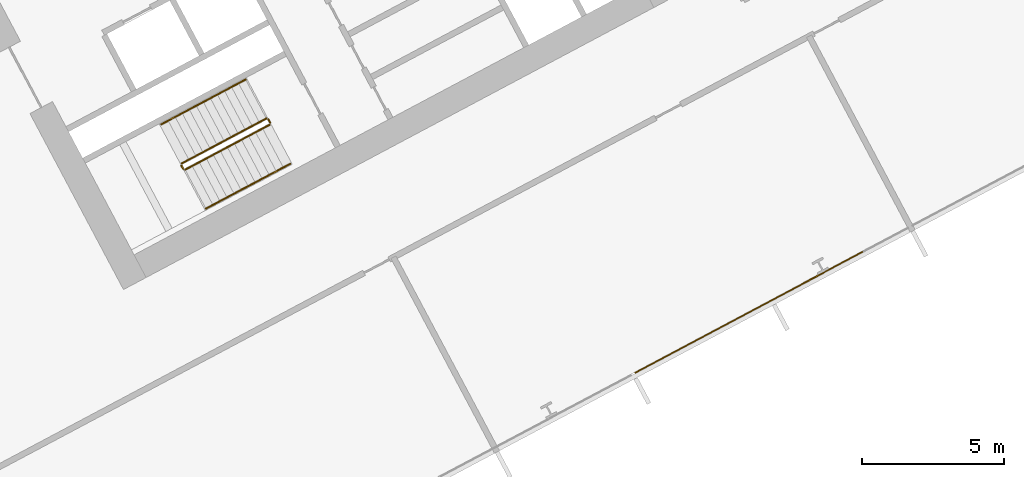
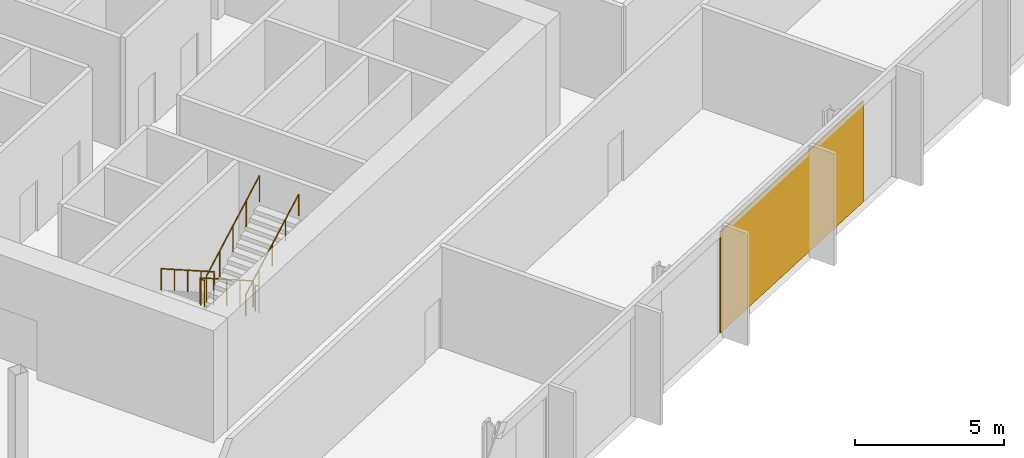
# One storey, part 27 of 31: 6 railings, 1 covering, 1 element without a shape of its own.
"""IFC4 building model written with IfcOpenShell, lengths in metres."""

from ifc_helpers import new_model, si_unit, direction, frame, origin, origin_2d, place, context, subcontext, project, spatial, polyline, rectangle, outline, extrude, material, layer, layer_set, type_object, element, aggregate, save


model = new_model("IFC4")

# Units and contexts
model_context = context("Model", 3, precision=1e-05, world=origin(), true_north=direction((0.0, 1.0)))
body_context = subcontext(model_context, "Body", "Model", "MODEL_VIEW")
ifc_project = project(units=[si_unit("LENGTHUNIT", "METRE"), si_unit("AREAUNIT", "SQUARE_METRE"), si_unit("VOLUMEUNIT", "CUBIC_METRE"), si_unit("PLANEANGLEUNIT", "RADIAN"), si_unit("MASSUNIT", "GRAM", prefix="KILO")], contexts=[model_context])

# Site, building, storey
site_placement = place(None, origin())
site = spatial("IfcSite", under=ifc_project, at=site_placement, CompositionType="ELEMENT")
building_placement = place(site_placement, origin())
building = spatial("IfcBuilding", under=site, at=building_placement, Name="Cormorant Relay Tower", CompositionType="ELEMENT")
storey_placement = place(building_placement, frame((0.0, 0.0, 107.60009765625)))
storey = spatial("IfcBuildingStorey", under=building, at=storey_placement, Name="L21", CompositionType="ELEMENT", Elevation=107.60009765625)

# Curtain wall, covering
ifc_material_1 = material(Name="Aluminium 6063-T6 anodised bronze", Category="aluminium")
ifc_layer_1 = layer(ifc_material_1, 0.199951171875)
ifc_layer_set_1 = layer_set([ifc_layer_1], Name="CW1 unitised bronze curtain wall with vertical fins")
curtain_wall_type = type_object("IfcCurtainWallType", Name="CW1 unitised bronze curtain wall with vertical fins", PredefinedType="NOTDEFINED", material=ifc_layer_set_1)
curtain_wall_placement = place(storey_placement, origin())
curtain_wall = element("IfcCurtainWall", 1, at=curtain_wall_placement, inside=storey, type_object=curtain_wall_type, Name="CW1 curtain wall 2", PredefinedType="NOTDEFINED")
ifc_material_2 = material(Name="Pale bronze anodised aluminium insulated panel", Category="aluminium")
ifc_layer_2 = layer(ifc_material_2, 0.0400390625)
ifc_layer_set_2 = layer_set([ifc_layer_2], Name="CW1 pale bronze insulated panel 40")
covering_type = type_object("IfcCoveringType", Name="CW1 pale bronze insulated panel 40", PredefinedType="CLADDING", material=ifc_layer_set_2)
covering_placement = place(storey_placement, frame((40.797119140625, -2.114501953125, 0.0), z_axis=(0.0, 0.0, 1.0), x_axis=(0.882947592859, 0.469471562786, 0.0)))
covering = element("IfcCovering", 2, at=covering_placement, type_object=covering_type, Name="CW1 panel S07", PredefinedType="CLADDING", context=body_context, shape_type="SweptSolid", body=[
    extrude(rectangle(XDim=9.07373046875, YDim=0.0400390625, at=origin_2d()), origin(), (0.0, 0.0, 1.0), 4.14990234375),
])
aggregate(curtain_wall, [covering])

# Railings
ifc_material_3 = material(Name="Steel ASTM A572 Grade 50 (Fy 345 MPa)", Category="steel")
railing_type_1 = type_object("IfcRailingType", Name="Stair guard 1100", PredefinedType="GUARDRAIL", material=ifc_material_3)
railing_1_placement = place(storey_placement, frame((23.83837890625, 4.6904296875, 0.1767578125)))
element("IfcRailing", 3, at=railing_1_placement, inside=storey, type_object=railing_type_1, Name="L21 B1 stair guard 1", PredefinedType="GUARDRAIL", context=body_context, shape_type="SweptSolid", body=[
    extrude(outline(polyline([(0.022216796875, 0.00927734375), (0.00927734375, 0.022216796875), (-0.00927734375, 0.022216796875), (-0.022216796875, 0.00927734375), (-0.022216796875, -0.00927734375), (-0.00927734375, -0.022216796875), (0.00927734375, -0.022216796875), (0.022216796875, -0.00927734375), (0.022216796875, 0.00927734375)])), frame((0.0, 0.0, 1.076171875), z_axis=(-0.746440668329, -0.396869088057, 0.534154711306), x_axis=(0.46945269911, -0.882957622595, 0.0)), (0.0, 0.0, 1.0), 3.974609375),
    extrude(outline(polyline([(0.019287109375, 0.008056640625), (0.008056640625, 0.019287109375), (-0.008056640625, 0.019287109375), (-0.019287109375, 0.008056640625), (-0.019287109375, -0.008056640625), (-0.008056640625, -0.019287109375), (0.008056640625, -0.019287109375), (0.019287109375, -0.008056640625), (0.019287109375, 0.008056640625)])), origin(), (0.0, 0.0, 1.0), 1.052001953125),
    extrude(outline(polyline([(0.019287109375, 0.008056640625), (0.008056640625, 0.019287109375), (-0.008056640625, 0.019287109375), (-0.019287109375, 0.008056640625), (-0.019287109375, -0.008056640625), (-0.008056640625, -0.019287109375), (0.008056640625, -0.019287109375), (0.019287109375, -0.008056640625), (0.019287109375, 0.008056640625)])), frame((-0.74169921875, -0.394287109375, 0.53076171875)), (0.0, 0.0, 1.0), 1.052001953125),
    extrude(outline(polyline([(0.019287109375, 0.008056640625), (0.008056640625, 0.019287109375), (-0.008056640625, 0.019287109375), (-0.019287109375, 0.008056640625), (-0.019287109375, -0.008056640625), (-0.008056640625, -0.019287109375), (0.008056640625, -0.019287109375), (0.019287109375, -0.008056640625), (0.019287109375, 0.008056640625)])), frame((-1.4833984375, -0.78857421875, 1.0615234375)), (0.0, 0.0, 1.0), 1.052001953125),
    extrude(outline(polyline([(0.019287109375, 0.008056640625), (0.008056640625, 0.019287109375), (-0.008056640625, 0.019287109375), (-0.019287109375, 0.008056640625), (-0.019287109375, -0.008056640625), (-0.008056640625, -0.019287109375), (0.008056640625, -0.019287109375), (0.019287109375, -0.008056640625), (0.019287109375, 0.008056640625)])), frame((-2.22509765625, -1.18310546875, 1.59228515625)), (0.0, 0.0, 1.0), 1.052001953125),
    extrude(outline(polyline([(0.019287109375, 0.008056640625), (0.008056640625, 0.019287109375), (-0.008056640625, 0.019287109375), (-0.019287109375, 0.008056640625), (-0.019287109375, -0.008056640625), (-0.008056640625, -0.019287109375), (0.008056640625, -0.019287109375), (0.019287109375, -0.008056640625), (0.019287109375, 0.008056640625)])), frame((-2.966796875, -1.577392578125, 2.123046875)), (0.0, 0.0, 1.0), 1.052001953125),
])
railing_2_placement = place(storey_placement, frame((20.850830078125, 3.04541015625, 2.2998046875)))
element("IfcRailing", 4, at=railing_2_placement, inside=storey, type_object=railing_type_1, Name="L21 B1 stair guard 2", PredefinedType="GUARDRAIL", context=body_context, shape_type="SweptSolid", body=[
    extrude(outline(polyline([(0.022216796875, 0.00927734375), (0.00927734375, 0.022216796875), (-0.00927734375, 0.022216796875), (-0.022216796875, 0.00927734375), (-0.022216796875, -0.00927734375), (-0.00927734375, -0.022216796875), (0.00927734375, -0.022216796875), (0.022216796875, -0.00927734375), (0.022216796875, 0.00927734375)])), frame((0.0, 0.0, 1.076171875), z_axis=(0.469828648786, -0.882757634224, 0.0), x_axis=(0.882757634224, 0.469828648786, 0.0)), (0.0, 0.0, 1.0), 0.150146484375),
    extrude(outline(polyline([(0.019287109375, 0.008056640625), (0.008056640625, 0.019287109375), (-0.008056640625, 0.019287109375), (-0.019287109375, 0.008056640625), (-0.019287109375, -0.008056640625), (-0.008056640625, -0.019287109375), (0.008056640625, -0.019287109375), (0.019287109375, -0.008056640625), (0.019287109375, 0.008056640625)])), origin(), (0.0, 0.0, 1.0), 1.052001953125),
    extrude(outline(polyline([(0.019287109375, 0.008056640625), (0.008056640625, 0.019287109375), (-0.008056640625, 0.019287109375), (-0.019287109375, 0.008056640625), (-0.019287109375, -0.008056640625), (-0.008056640625, -0.019287109375), (0.008056640625, -0.019287109375), (0.019287109375, -0.008056640625), (0.019287109375, 0.008056640625)])), frame((0.070556640625, -0.132568359375, 0.0)), (0.0, 0.0, 1.0), 1.052001953125),
])
railing_3_placement = place(storey_placement, frame((20.989013671875, 2.892333984375, 2.476806640625)))
element("IfcRailing", 5, at=railing_3_placement, inside=storey, type_object=railing_type_1, Name="L21 B1 stair guard 3", PredefinedType="GUARDRAIL", context=body_context, shape_type="SweptSolid", body=[
    extrude(outline(polyline([(0.022216796875, 0.00927734375), (0.00927734375, 0.022216796875), (-0.00927734375, 0.022216796875), (-0.022216796875, 0.00927734375), (-0.022216796875, -0.00927734375), (-0.00927734375, -0.022216796875), (0.00927734375, -0.022216796875), (0.022216796875, -0.00927734375), (0.022216796875, 0.00927734375)])), frame((0.0, 0.0, 1.076171875), z_axis=(0.746413465702, 0.396887285154, 0.534179203172), x_axis=(-0.469482818608, 0.88294160794, 0.0)), (0.0, 0.0, 1.0), 3.974365234375),
    extrude(outline(polyline([(0.019287109375, 0.008056640625), (0.008056640625, 0.019287109375), (-0.008056640625, 0.019287109375), (-0.019287109375, 0.008056640625), (-0.019287109375, -0.008056640625), (-0.008056640625, -0.019287109375), (0.008056640625, -0.019287109375), (0.019287109375, -0.008056640625), (0.019287109375, 0.008056640625)])), origin(), (0.0, 0.0, 1.0), 1.052001953125),
    extrude(outline(polyline([(0.019287109375, 0.008056640625), (0.008056640625, 0.019287109375), (-0.008056640625, 0.019287109375), (-0.019287109375, 0.008056640625), (-0.019287109375, -0.008056640625), (-0.008056640625, -0.019287109375), (0.008056640625, -0.019287109375), (0.019287109375, -0.008056640625), (0.019287109375, 0.008056640625)])), frame((0.74169921875, 0.394287109375, 0.53076171875)), (0.0, 0.0, 1.0), 1.052001953125),
    extrude(outline(polyline([(0.019287109375, 0.008056640625), (0.008056640625, 0.019287109375), (-0.008056640625, 0.019287109375), (-0.019287109375, 0.008056640625), (-0.019287109375, -0.008056640625), (-0.008056640625, -0.019287109375), (0.008056640625, -0.019287109375), (0.019287109375, -0.008056640625), (0.019287109375, 0.008056640625)])), frame((1.4833984375, 0.78857421875, 1.0615234375)), (0.0, 0.0, 1.0), 1.052001953125),
    extrude(outline(polyline([(0.019287109375, 0.008056640625), (0.008056640625, 0.019287109375), (-0.008056640625, 0.019287109375), (-0.019287109375, 0.008056640625), (-0.019287109375, -0.008056640625), (-0.008056640625, -0.019287109375), (0.008056640625, -0.019287109375), (0.019287109375, -0.008056640625), (0.019287109375, 0.008056640625)])), frame((2.224853515625, 1.18310546875, 1.59228515625)), (0.0, 0.0, 1.0), 1.052001953125),
    extrude(outline(polyline([(0.019287109375, 0.008056640625), (0.008056640625, 0.019287109375), (-0.008056640625, 0.019287109375), (-0.019287109375, 0.008056640625), (-0.019287109375, -0.008056640625), (-0.008056640625, -0.019287109375), (0.008056640625, -0.019287109375), (0.019287109375, -0.008056640625), (0.019287109375, 0.008056640625)])), frame((2.966552734375, 1.577392578125, 2.123046875)), (0.0, 0.0, 1.0), 1.052001953125),
])
railing_4_placement = place(storey_placement, frame((23.906005859375, 4.669677734375, 0.0)))
element("IfcRailing", 6, at=railing_4_placement, inside=storey, type_object=railing_type_1, Name="L21 B1 stair guard 4", PredefinedType="GUARDRAIL", context=body_context, shape_type="SweptSolid", body=[
    extrude(outline(polyline([(0.022216796875, 0.00927734375), (0.00927734375, 0.022216796875), (-0.00927734375, 0.022216796875), (-0.022216796875, 0.00927734375), (-0.022216796875, -0.00927734375), (-0.00927734375, -0.022216796875), (0.00927734375, -0.022216796875), (0.022216796875, -0.00927734375), (0.022216796875, 0.00927734375)])), frame((0.0, 0.0, 1.076171875), z_axis=(0.469234640946, -0.883073525669, 0.0), x_axis=(0.883073525669, 0.469234640946, 0.0)), (0.0, 0.0, 1.0), 0.14990234375),
    extrude(outline(polyline([(0.019287109375, 0.008056640625), (0.008056640625, 0.019287109375), (-0.008056640625, 0.019287109375), (-0.019287109375, 0.008056640625), (-0.019287109375, -0.008056640625), (-0.008056640625, -0.019287109375), (0.008056640625, -0.019287109375), (0.019287109375, -0.008056640625), (0.019287109375, 0.008056640625)])), origin(), (0.0, 0.0, 1.0), 1.052001953125),
    extrude(outline(polyline([(0.019287109375, 0.008056640625), (0.008056640625, 0.019287109375), (-0.008056640625, 0.019287109375), (-0.019287109375, 0.008056640625), (-0.019287109375, -0.008056640625), (-0.008056640625, -0.019287109375), (0.008056640625, -0.019287109375), (0.019287109375, -0.008056640625), (0.019287109375, 0.008056640625)])), frame((0.0703125, -0.13232421875, 0.0)), (0.0, 0.0, 1.0), 1.052001953125),
])
ifc_material_4 = material(Name="Steel ASTM A572 Grade 50 (Fy 345 MPa)", Category="steel")
railing_type_2 = type_object("IfcRailingType", Name="Stair handrail 900", PredefinedType="HANDRAIL", material=ifc_material_4)
railing_5_placement = place(storey_placement, frame((23.110595703125, 6.05908203125, 0.1767578125)))
element("IfcRailing", 7, at=railing_5_placement, inside=storey, type_object=railing_type_2, Name="L21 B1 stair handrail 1", PredefinedType="HANDRAIL", context=body_context, shape_type="SweptSolid", body=[
    extrude(outline(polyline([(0.022216796875, 0.00927734375), (0.00927734375, 0.022216796875), (-0.00927734375, 0.022216796875), (-0.022216796875, 0.00927734375), (-0.022216796875, -0.00927734375), (-0.00927734375, -0.022216796875), (0.00927734375, -0.022216796875), (0.022216796875, -0.00927734375), (0.022216796875, 0.00927734375)])), frame((0.0, 0.0, 0.8759765625), z_axis=(-0.746413465702, -0.396887285154, 0.534179203172), x_axis=(0.469482818608, -0.88294160794, 0.0)), (0.0, 0.0, 1.0), 3.974365234375),
    extrude(outline(polyline([(0.019287109375, 0.008056640625), (0.008056640625, 0.019287109375), (-0.008056640625, 0.019287109375), (-0.019287109375, 0.008056640625), (-0.019287109375, -0.008056640625), (-0.008056640625, -0.019287109375), (0.008056640625, -0.019287109375), (0.019287109375, -0.008056640625), (0.019287109375, 0.008056640625)])), origin(), (0.0, 0.0, 1.0), 0.851806640625),
    extrude(outline(polyline([(0.019287109375, 0.008056640625), (0.008056640625, 0.019287109375), (-0.008056640625, 0.019287109375), (-0.019287109375, 0.008056640625), (-0.019287109375, -0.008056640625), (-0.008056640625, -0.019287109375), (0.008056640625, -0.019287109375), (0.019287109375, -0.008056640625), (0.019287109375, 0.008056640625)])), frame((-0.74169921875, -0.394287109375, 0.53076171875)), (0.0, 0.0, 1.0), 0.851806640625),
    extrude(outline(polyline([(0.019287109375, 0.008056640625), (0.008056640625, 0.019287109375), (-0.008056640625, 0.019287109375), (-0.019287109375, 0.008056640625), (-0.019287109375, -0.008056640625), (-0.008056640625, -0.019287109375), (0.008056640625, -0.019287109375), (0.019287109375, -0.008056640625), (0.019287109375, 0.008056640625)])), frame((-1.4833984375, -0.78857421875, 1.0615234375)), (0.0, 0.0, 1.0), 0.851806640625),
    extrude(outline(polyline([(0.019287109375, 0.008056640625), (0.008056640625, 0.019287109375), (-0.008056640625, 0.019287109375), (-0.019287109375, 0.008056640625), (-0.019287109375, -0.008056640625), (-0.008056640625, -0.019287109375), (0.008056640625, -0.019287109375), (0.019287109375, -0.008056640625), (0.019287109375, 0.008056640625)])), frame((-2.224853515625, -1.18310546875, 1.59228515625)), (0.0, 0.0, 1.0), 0.851806640625),
    extrude(outline(polyline([(0.019287109375, 0.008056640625), (0.008056640625, 0.019287109375), (-0.008056640625, 0.019287109375), (-0.019287109375, 0.008056640625), (-0.019287109375, -0.008056640625), (-0.008056640625, -0.019287109375), (0.008056640625, -0.019287109375), (0.019287109375, -0.008056640625), (0.019287109375, 0.008056640625)])), frame((-2.966552734375, -1.577392578125, 2.123046875)), (0.0, 0.0, 1.0), 0.851806640625),
])
railing_6_placement = place(storey_placement, frame((21.716552734375, 1.523681640625, 2.476806640625)))
element("IfcRailing", 8, at=railing_6_placement, inside=storey, type_object=railing_type_2, Name="L21 B1 stair handrail 2", PredefinedType="HANDRAIL", context=body_context, shape_type="SweptSolid", body=[
    extrude(outline(polyline([(0.022216796875, 0.00927734375), (0.00927734375, 0.022216796875), (-0.00927734375, 0.022216796875), (-0.022216796875, 0.00927734375), (-0.022216796875, -0.00927734375), (-0.00927734375, -0.022216796875), (0.00927734375, -0.022216796875), (0.022216796875, -0.00927734375), (0.022216796875, 0.00927734375)])), frame((0.0, 0.0, 0.8759765625), z_axis=(0.746440668329, 0.396869088057, 0.534154711306), x_axis=(-0.46945269911, 0.882957622595, 0.0)), (0.0, 0.0, 1.0), 3.974609375),
    extrude(outline(polyline([(0.019287109375, 0.008056640625), (0.008056640625, 0.019287109375), (-0.008056640625, 0.019287109375), (-0.019287109375, 0.008056640625), (-0.019287109375, -0.008056640625), (-0.008056640625, -0.019287109375), (0.008056640625, -0.019287109375), (0.019287109375, -0.008056640625), (0.019287109375, 0.008056640625)])), origin(), (0.0, 0.0, 1.0), 0.851806640625),
    extrude(outline(polyline([(0.019287109375, 0.008056640625), (0.008056640625, 0.019287109375), (-0.008056640625, 0.019287109375), (-0.019287109375, 0.008056640625), (-0.019287109375, -0.008056640625), (-0.008056640625, -0.019287109375), (0.008056640625, -0.019287109375), (0.019287109375, -0.008056640625), (0.019287109375, 0.008056640625)])), frame((0.74169921875, 0.394287109375, 0.53076171875)), (0.0, 0.0, 1.0), 0.851806640625),
    extrude(outline(polyline([(0.019287109375, 0.008056640625), (0.008056640625, 0.019287109375), (-0.008056640625, 0.019287109375), (-0.019287109375, 0.008056640625), (-0.019287109375, -0.008056640625), (-0.008056640625, -0.019287109375), (0.008056640625, -0.019287109375), (0.019287109375, -0.008056640625), (0.019287109375, 0.008056640625)])), frame((1.4833984375, 0.78857421875, 1.0615234375)), (0.0, 0.0, 1.0), 0.851806640625),
    extrude(outline(polyline([(0.019287109375, 0.008056640625), (0.008056640625, 0.019287109375), (-0.008056640625, 0.019287109375), (-0.019287109375, 0.008056640625), (-0.019287109375, -0.008056640625), (-0.008056640625, -0.019287109375), (0.008056640625, -0.019287109375), (0.019287109375, -0.008056640625), (0.019287109375, 0.008056640625)])), frame((2.22509765625, 1.18310546875, 1.59228515625)), (0.0, 0.0, 1.0), 0.851806640625),
    extrude(outline(polyline([(0.019287109375, 0.008056640625), (0.008056640625, 0.019287109375), (-0.008056640625, 0.019287109375), (-0.019287109375, 0.008056640625), (-0.019287109375, -0.008056640625), (-0.008056640625, -0.019287109375), (0.008056640625, -0.019287109375), (0.019287109375, -0.008056640625), (0.019287109375, 0.008056640625)])), frame((2.966796875, 1.577392578125, 2.123046875)), (0.0, 0.0, 1.0), 0.851806640625),
])

save(model, "model.ifc")
